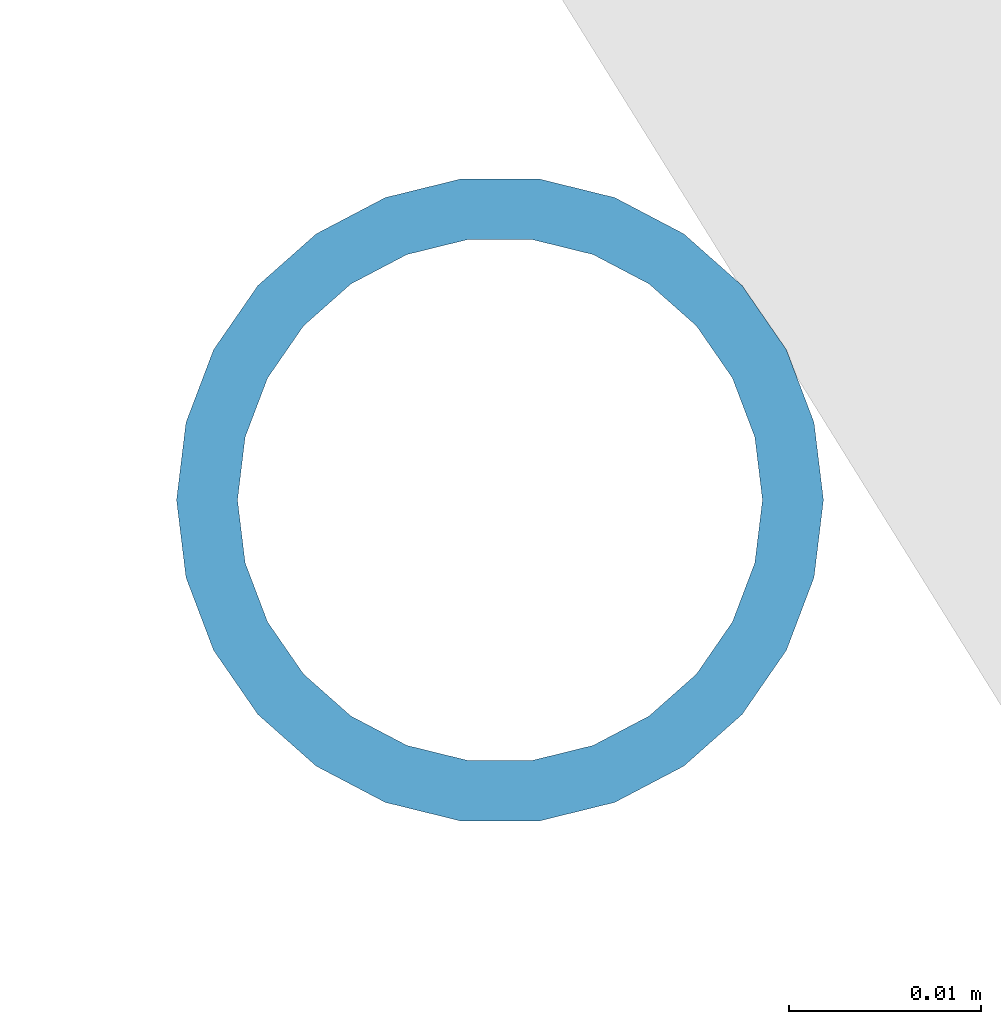
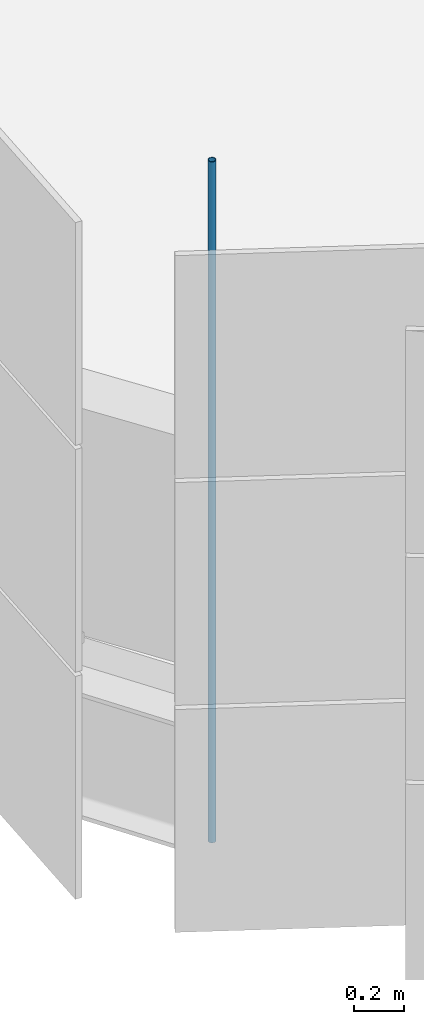
# One storey, part 104 of 199: 1 discrete accessory.
"""IFC4 building model written with IfcOpenShell, lengths in metres."""

import ifcopenshell
import ifcopenshell.guid

model = None  # the IFC model being written
_history = None  # IfcOwnerHistory: only IFC2X3 demands one
_inside = {}  # id of a spatial element -> (the spatial element, [elements in it])
_under = {}  # id of a project, library or spatial element -> (it, [spatial elements below it])
_declared = {}  # id of a project -> (the project, [libraries it declares])
_typed = {}  # id of a type object -> (the type object, [elements of that type])
_made_of = {}  # id of a material, layer set ... -> (it, [elements and type objects made of it])


def new_model(schema):
    """Start an empty IFC model of exactly this schema.

    Asked for "IFC4X3", IfcOpenShell would pick the latest addendum, in which some entities
    have other attributes; the version numbers below select the first issue.
    IFC2X3 requires an IfcOwnerHistory on every rooted entity: one is made here for all.
    """
    global model, _history
    if schema == "IFC4X3":
        model = ifcopenshell.file(schema_version=(4, 3, 0, 0))
    else:
        model = ifcopenshell.file(schema=schema)
    _inside.clear()
    _under.clear()
    _declared.clear()
    _typed.clear()
    _made_of.clear()
    _history = None
    if model.schema == "IFC2X3":
        org = make("IfcOrganization", Name="unknown")
        user = make(
            "IfcPersonAndOrganization",
            ThePerson=make("IfcPerson", FamilyName="unknown"),
            TheOrganization=org,
        )
        app = make(
            "IfcApplication",
            ApplicationDeveloper=org,
            Version="unknown",
            ApplicationFullName="unknown",
            ApplicationIdentifier="unknown",
        )
        _history = make(
            "IfcOwnerHistory",
            OwningUser=user,
            OwningApplication=app,
            ChangeAction="ADDED",
            CreationDate=0,
        )
    return model


def make(cls, **values):
    """One entity of the class cls with the attributes given. An attribute that is None is left unset."""
    return model.create_entity(
        cls, **{name: value for name, value in values.items() if value is not None}
    )


def rooted(cls, **values):
    """An entity with a GlobalId (a new one), such as an element, a storey or a relation."""
    return make(cls, GlobalId=ifcopenshell.guid.new(), OwnerHistory=_history, **values)


def si_unit(unit_type, name, prefix=None):
    """IfcSIUnit, for example si_unit("LENGTHUNIT", "METRE", prefix="MILLI")."""
    return make("IfcSIUnit", UnitType=unit_type, Prefix=prefix, Name=name)


def assignment(units):
    """IfcUnitAssignment: the units of a project."""
    return None if units is None else make("IfcUnitAssignment", Units=units)


def point(xyz):
    """IfcCartesianPoint."""
    return None if xyz is None else make("IfcCartesianPoint", Coordinates=xyz)


def direction(xyz):
    """IfcDirection."""
    return None if xyz is None else make("IfcDirection", DirectionRatios=xyz)


def frame(location, z_axis=None, x_axis=None):
    """IfcAxis2Placement3D, a coordinate frame: its origin and axes. An axis left out is left unset."""
    return make(
        "IfcAxis2Placement3D",
        Location=point(location),
        Axis=direction(z_axis),
        RefDirection=direction(x_axis),
    )


def frame_2d(location, x_axis=None):
    """IfcAxis2Placement2D, a coordinate frame in the plane: its origin and x axis."""
    return make(
        "IfcAxis2Placement2D", Location=point(location), RefDirection=direction(x_axis)
    )


def origin():
    """The frame at (0, 0, 0) with its axes left unset."""
    return frame((0.0, 0.0, 0.0))


def origin_2d():
    """The frame at (0, 0) in the plane with its x axis left unset."""
    return frame_2d((0.0, 0.0))


def place(relative_to, where):
    """IfcLocalPlacement: puts the frame where relative to a parent placement (None: the world)."""
    return make(
        "IfcLocalPlacement", PlacementRelTo=relative_to, RelativePlacement=where
    )


def context(
    kind, dimensions, precision=None, world=None, true_north=None, identifier=None
):
    """IfcGeometricRepresentationContext, for example the 3D "Model" context."""
    return make(
        "IfcGeometricRepresentationContext",
        ContextIdentifier=identifier,
        ContextType=kind,
        CoordinateSpaceDimension=dimensions,
        Precision=precision,
        WorldCoordinateSystem=world,
        TrueNorth=true_north,
    )


def subcontext(parent, identifier, kind, view, scale=None):
    """IfcGeometricRepresentationSubContext, for example "Body" below "Model"."""
    return make(
        "IfcGeometricRepresentationSubContext",
        ContextIdentifier=identifier,
        ContextType=kind,
        ParentContext=parent,
        TargetScale=scale,
        TargetView=view,
    )


def project(units=None, contexts=None):
    """IfcProject with its units and contexts."""
    return rooted(
        "IfcProject",
        Name="project",
        RepresentationContexts=contexts,
        UnitsInContext=assignment(units),
    )


def spatial(cls, under=None, at=None, **own):
    """A site, building, storey or space (cls), placed at a placement, below another one or the project."""
    s = rooted(cls, ObjectPlacement=at, **own)
    if under is not None:
        _under.setdefault(under.id(), (under, []))[1].append(s)
    return s


def profile(cls, at=None, kind="AREA", **sizes):
    """A parametric profile (cls). Its sizes go by their IFC names, for example OverallWidth=200.0."""
    return make(cls, ProfileType=kind, Position=at, **sizes)


def hollow_circle(**sizes):
    """IfcCircleHollowProfileDef."""
    return profile("IfcCircleHollowProfileDef", **sizes)


def extrude(swept, where, along, depth):
    """IfcExtrudedAreaSolid: the profile swept, set in the frame where, extruded along a direction by depth."""
    return make(
        "IfcExtrudedAreaSolid",
        SweptArea=swept,
        Position=where,
        ExtrudedDirection=direction(along),
        Depth=depth,
    )


def shape(context_of_items, identifier, shape_type, items):
    """IfcShapeRepresentation: the items that make up one representation, for example the "Body"."""
    return make(
        "IfcShapeRepresentation",
        ContextOfItems=context_of_items,
        RepresentationIdentifier=identifier,
        RepresentationType=shape_type,
        Items=items,
    )


def material(Name=None, Category=None):
    """IfcMaterial."""
    return make("IfcMaterial", Name=Name, Category=Category)


def material_profile(
    of_material, cross_section, Name=None, Category=None, Priority=None
):
    """IfcMaterialProfile: a cross section and its material."""
    return make(
        "IfcMaterialProfile",
        Name=Name,
        Material=of_material,
        Profile=cross_section,
        Priority=Priority,
        Category=Category,
    )


def profile_set(profiles, Name=None, composite=None):
    """IfcMaterialProfileSet."""
    return make(
        "IfcMaterialProfileSet",
        Name=Name,
        MaterialProfiles=profiles,
        CompositeProfile=composite,
    )


def made_of(thing, what):
    """Note that an element or type object is made of a material, layer set ...; save() writes the relation."""
    if what is not None:
        _made_of.setdefault(what.id(), (what, []))[1].append(thing)
    return thing


def type_object(cls, material=None, **own):
    """A type object (cls), such as IfcWallType, which elements share."""
    return made_of(rooted(cls, **own), material)


def element(
    cls,
    number,
    at=None,
    inside=None,
    cuts=None,
    type_object=None,
    material=None,
    context=None,
    identifier="Body",
    shape_type=None,
    held_by="IfcProductDefinitionShape",
    body=None,
    shapes=None,
    **own,
):
    """One element of the class cls, such as IfcWall. Its Tag is "e" and its number.

    at: its placement. inside: the storey or other place that contains it. cuts: it is an
    opening in that element (IfcRelVoidsElement). A single representation is given by context,
    identifier, shape_type and body (its items); several are given by shapes. held_by: the class
    of the entity that holds the representations. save() writes the other relations.
    """
    e = rooted(cls, Tag="e%d" % number, ObjectPlacement=at, **own)
    if body is not None:
        shapes = [shape(context, identifier, shape_type, body)]
    if shapes is not None:
        e.Representation = make(held_by, Representations=shapes)
    if inside is not None:
        _inside.setdefault(inside.id(), (inside, []))[1].append(e)
    if cuts is not None:
        rooted(
            "IfcRelVoidsElement", RelatingBuildingElement=cuts, RelatedOpeningElement=e
        )
    if type_object is not None:
        _typed.setdefault(type_object.id(), (type_object, []))[1].append(e)
    return made_of(e, material)


def aggregate(whole, parts):
    """IfcRelAggregates: a whole, such as a stair, and the parts it consists of."""
    return rooted("IfcRelAggregates", RelatingObject=whole, RelatedObjects=parts)


def save(model, path):
    """Write the relations noted so far, then the file.

    IfcRelAggregates (storeys below a building ...), IfcRelContainedInSpatialStructure (elements
    in a storey), IfcRelDefinesByType, IfcRelAssociatesMaterial and IfcRelDeclares: one each for
    every whole, place, type object, material and project.
    """
    for whole, parts in _under.values():
        aggregate(whole, parts)
    for where, things in _inside.values():
        rooted(
            "IfcRelContainedInSpatialStructure",
            RelatedElements=things,
            RelatingStructure=where,
        )
    for kind, things in _typed.values():
        rooted("IfcRelDefinesByType", RelatedObjects=things, RelatingType=kind)
    for what, things in _made_of.values():
        rooted("IfcRelAssociatesMaterial", RelatedObjects=things, RelatingMaterial=what)
    for by, libraries in _declared.values():
        rooted("IfcRelDeclares", RelatingContext=by, RelatedDefinitions=libraries)
    model.write(path)


model = new_model("IFC4")

# Units and contexts
model_context = context("Model", 3, precision=1e-05, world=origin(), true_north=direction((0.0, 1.0)))
body_context = subcontext(model_context, "Body", "Model", "MODEL_VIEW")
ifc_project = project(units=[si_unit("LENGTHUNIT", "METRE"), si_unit("AREAUNIT", "SQUARE_METRE"), si_unit("VOLUMEUNIT", "CUBIC_METRE"), si_unit("PLANEANGLEUNIT", "RADIAN"), si_unit("MASSUNIT", "GRAM", prefix="KILO")], contexts=[model_context])

# Site, building, storey
site_placement = place(None, origin())
site = spatial("IfcSite", under=ifc_project, at=site_placement, CompositionType="ELEMENT")
building_placement = place(site_placement, origin())
building = spatial("IfcBuilding", under=site, at=building_placement, Name="Parallax Yard Mobility Hub", CompositionType="ELEMENT")
storey_placement = place(building_placement, frame((0.0, 0.0, 9.89990234375)))
storey = spatial("IfcBuildingStorey", under=building, at=storey_placement, Name="L03", CompositionType="ELEMENT", Elevation=9.89990234375)

# Discrete accessory
ifc_material = material(Name="Steel ASTM A500 Gr C, hot-dip galvanised", Category="steel")
ifc_material_profile = material_profile(ifc_material, hollow_circle(Radius=0.016845703125, WallThickness=0.003173828125, at=origin_2d()), Name="CHS 33.7x3.2")
ifc_profile_set = profile_set([ifc_material_profile], Name="Steel ASTM A500 Gr C, hot-dip galvanised")
discrete_accessory_type = type_object("IfcDiscreteAccessoryType", Name="Hinge post CHS 33.7x3.2", PredefinedType="BRACKET", material=ifc_profile_set)
discrete_accessory_placement = place(storey_placement, frame((191.131103515625, 100.730224609375, 0.0), z_axis=(0.0, 0.0, 1.0), x_axis=(1.0, 0.0, 0.0)))
element("IfcDiscreteAccessory", 1, at=discrete_accessory_placement, inside=storey, type_object=discrete_accessory_type, Name="Hinge post bay 21.3 level L03", PredefinedType="BRACKET", context=body_context, shape_type="SweptSolid", body=[
    extrude(hollow_circle(Radius=0.016845703125, WallThickness=0.003173828125, at=origin_2d()), origin(), (0.0, 0.0, 1.0), 3.300048828125),
])

save(model, "model.ifc")
